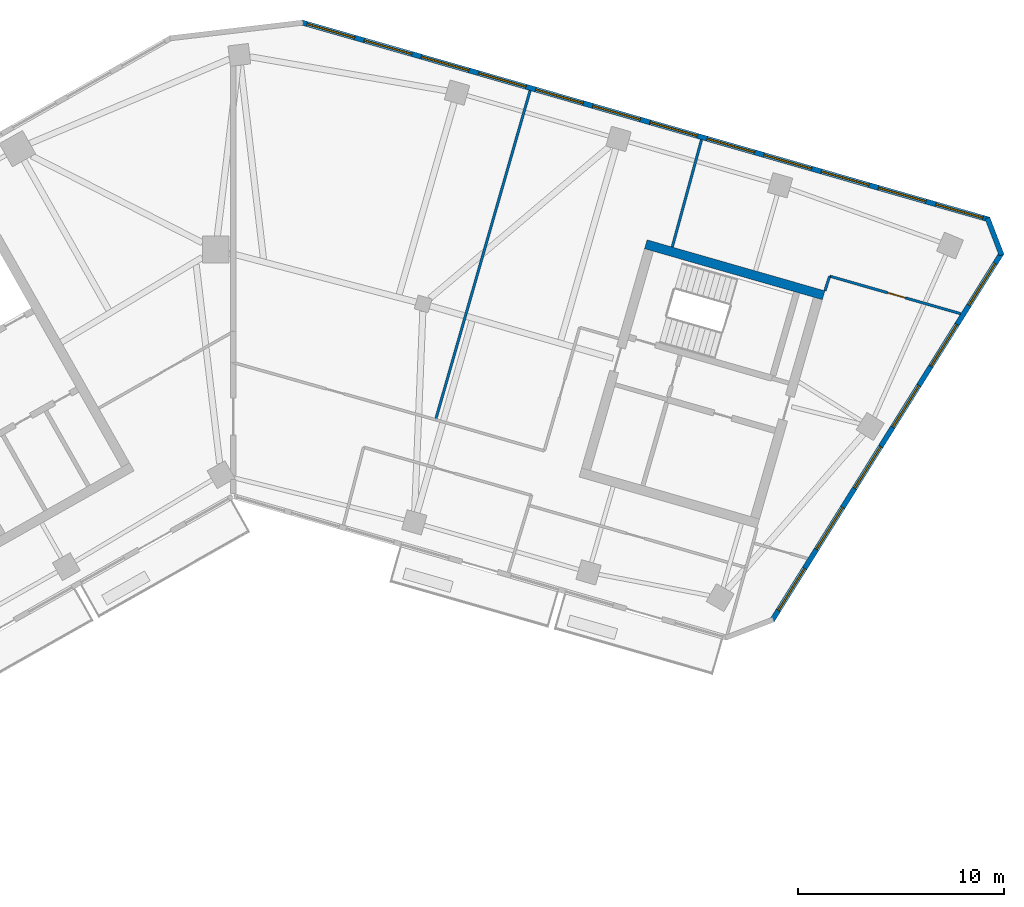
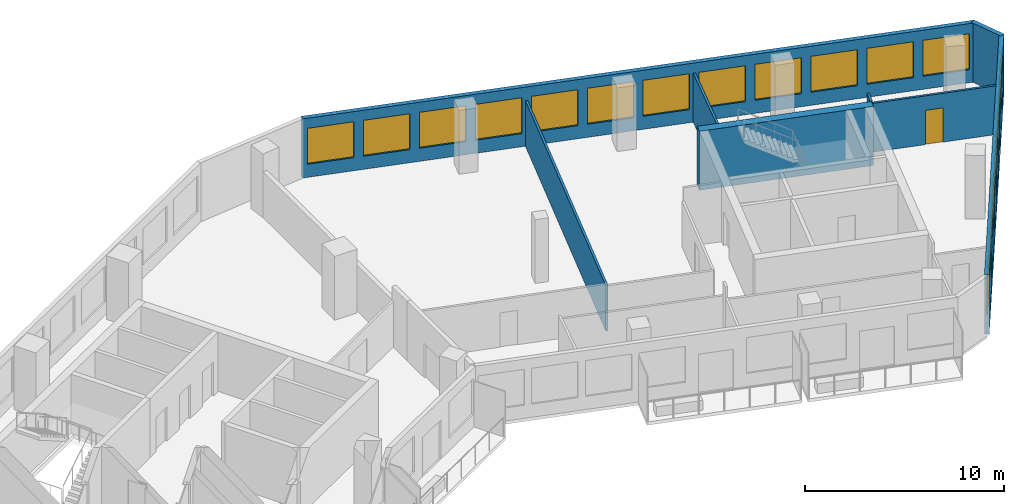
# One storey, part 8 of 12: 18 windows, 8 walls, 1 door, 19 openings.
"""IFC4 building model written with IfcOpenShell, lengths in metres."""

from ifc_helpers import new_model, si_unit, direction, frame, frame_2d, origin, place, context, subcontext, project, spatial, rectangle, extrude, material, layer, layer_set, type_object, element, fill, save


model = new_model("IFC4")

# Units and contexts
model_context = context("Model", 3, precision=1e-05, world=origin(), true_north=direction((0.0, 1.0)))
body_context = subcontext(model_context, "Body", "Model", "MODEL_VIEW")
ifc_project = project(units=[si_unit("LENGTHUNIT", "METRE"), si_unit("AREAUNIT", "SQUARE_METRE"), si_unit("VOLUMEUNIT", "CUBIC_METRE"), si_unit("PLANEANGLEUNIT", "RADIAN"), si_unit("MASSUNIT", "GRAM", prefix="KILO")], contexts=[model_context])

# Site, building, storey
site_placement = place(None, origin())
site = spatial("IfcSite", under=ifc_project, at=site_placement, CompositionType="ELEMENT")
building_placement = place(site_placement, origin())
building = spatial("IfcBuilding", under=site, at=building_placement, Name="Binnacle Exchange Tower", CompositionType="ELEMENT")
storey_placement = place(building_placement, frame((0.0, 0.0, 242.60009765625)))
storey = spatial("IfcBuildingStorey", under=building, at=storey_placement, Name="L53", CompositionType="ELEMENT", Elevation=242.60009765625)

# Wall
ifc_material_1 = material(Name="Concrete C70/85", Category="concrete")
ifc_layer_1 = layer(ifc_material_1, 0.449951171875)
ifc_layer_set_1 = layer_set([ifc_layer_1], Name="Core wall - outer 450")
wall_type_1 = type_object("IfcWallType", Name="Core wall - outer 450", PredefinedType="SOLIDWALL", material=ifc_layer_set_1)
wall_1_placement = place(storey_placement, frame((20.073486328125, 60.251708984375, 0.0), z_axis=(0.0, 0.0, 1.0), x_axis=(0.96126248289, -0.275634611374, 0.0)))
element("IfcWall", 1, at=wall_1_placement, inside=storey, type_object=wall_type_1, Name="Core wall CRWD6", PredefinedType="SOLIDWALL", context=body_context, shape_type="SweptSolid", body=[
    extrude(rectangle(XDim=9.0, YDim=0.449951171875, at=frame_2d((4.5, 0.0))), origin(), (0.0, 0.0, 1.0), 3.619873046875),
])

# Wall, openings, windows
ifc_material_2 = material(Name="Bronze aluminium cladding", Category="aluminium")
ifc_layer_2 = layer(ifc_material_2, 0.25)
ifc_layer_set_2 = layer_set([ifc_layer_2], Name="External wall - window wall 250")
wall_type_2 = type_object("IfcWallType", Name="External wall - window wall 250", PredefinedType="STANDARD", material=ifc_layer_set_2)
wall_2_placement = place(storey_placement, frame((37.392333984375, 59.84033203125, 0.0), z_axis=(0.0, 0.0, 1.0), x_axis=(-0.529919909431, -0.848047692992, 0.0)))
wall_2 = element("IfcWall", 2, at=wall_2_placement, inside=storey, type_object=wall_type_2, Name="External wall EW-G04 L53", PredefinedType="STANDARD", context=body_context, shape_type="SweptSolid", body=[
    extrude(rectangle(XDim=21.104248046875, YDim=0.25, at=frame_2d((10.55224609375, 0.0))), origin(), (0.0, 0.0, 1.0), 3.619873046875),
])
opening_1_placement = place(wall_2_placement, frame((18.1123046875, 0.0, 0.800048828125)))
opening_1 = element("IfcOpeningElement", 3, at=opening_1_placement, cuts=wall_2, Name="Opening WR1", PredefinedType="OPENING", context=body_context, shape_type="SweptSolid", body=[
    extrude(rectangle(XDim=2.39990234375, YDim=2.199951171875, at=frame_2d((1.199951171875, 1.10009765625))), frame((0.0, 0.135009765625, 0.0), z_axis=(0.0, -1.0, 0.0), x_axis=(1.0, 0.0, 0.0)), (0.0, 0.0, 1.0), 0.27001953125),
])
opening_2_placement = place(wall_2_placement, frame((14.6123046875, 0.0, 0.800048828125)))
opening_2 = element("IfcOpeningElement", 4, at=opening_2_placement, cuts=wall_2, Name="Opening WR1", PredefinedType="OPENING", context=body_context, shape_type="SweptSolid", body=[
    extrude(rectangle(XDim=2.39990234375, YDim=2.199951171875, at=frame_2d((1.199951171875, 1.10009765625))), frame((0.0, 0.135009765625, 0.0), z_axis=(0.0, -1.0, 0.0), x_axis=(1.0, 0.0, 0.0)), (0.0, 0.0, 1.0), 0.27001953125),
])
opening_3_placement = place(wall_2_placement, frame((11.1123046875, 0.0, 0.800048828125)))
opening_3 = element("IfcOpeningElement", 5, at=opening_3_placement, cuts=wall_2, Name="Opening WR1", PredefinedType="OPENING", context=body_context, shape_type="SweptSolid", body=[
    extrude(rectangle(XDim=2.39990234375, YDim=2.199951171875, at=frame_2d((1.199951171875, 1.10009765625))), frame((0.0, 0.135009765625, 0.0), z_axis=(0.0, -1.0, 0.0), x_axis=(1.0, 0.0, 0.0)), (0.0, 0.0, 1.0), 0.27001953125),
])
opening_4_placement = place(wall_2_placement, frame((7.6123046875, 0.0, 0.800048828125)))
opening_4 = element("IfcOpeningElement", 6, at=opening_4_placement, cuts=wall_2, Name="Opening WR1", PredefinedType="OPENING", context=body_context, shape_type="SweptSolid", body=[
    extrude(rectangle(XDim=2.39990234375, YDim=2.199951171875, at=frame_2d((1.199951171875, 1.10009765625))), frame((0.0, 0.135009765625, 0.0), z_axis=(0.0, -1.0, 0.0), x_axis=(1.0, 0.0, 0.0)), (0.0, 0.0, 1.0), 0.27001953125),
])
opening_5_placement = place(wall_2_placement, frame((4.1123046875, 0.0, 0.800048828125)))
opening_5 = element("IfcOpeningElement", 7, at=opening_5_placement, cuts=wall_2, Name="Opening WR1", PredefinedType="OPENING", context=body_context, shape_type="SweptSolid", body=[
    extrude(rectangle(XDim=2.39990234375, YDim=2.199951171875, at=frame_2d((1.199951171875, 1.10009765625))), frame((0.0, 0.135009765625, 0.0), z_axis=(0.0, -1.0, 0.0), x_axis=(1.0, 0.0, 0.0)), (0.0, 0.0, 1.0), 0.27001953125),
])
opening_6_placement = place(wall_2_placement, frame((0.6123046875, 0.0, 0.800048828125)))
opening_6 = element("IfcOpeningElement", 8, at=opening_6_placement, cuts=wall_2, Name="Opening WR1", PredefinedType="OPENING", context=body_context, shape_type="SweptSolid", body=[
    extrude(rectangle(XDim=2.39990234375, YDim=2.199951171875, at=frame_2d((1.199951171875, 1.10009765625))), frame((0.0, 0.135009765625, 0.0), z_axis=(0.0, -1.0, 0.0), x_axis=(1.0, 0.0, 0.0)), (0.0, 0.0, 1.0), 0.27001953125),
])
ifc_material_3 = material(Name="Bronze anodised aluminium frame", Category="aluminium")
window_type = type_object("IfcWindowType", Name="WR1 WINDOW 2400x2200", PartitioningType="SINGLE_PANEL", PredefinedType="WINDOW", material=ifc_material_3)
window_1_placement = place(opening_1_placement, origin())
window_1 = element("IfcWindow", 9, at=window_1_placement, inside=storey, type_object=window_type, Name="Window WR1 L53", OverallHeight=2.199951171875, OverallWidth=2.39990234375, PartitioningType="SINGLE_PANEL", PredefinedType="WINDOW", context=body_context, shape_type="SweptSolid", body=[
    extrude(rectangle(XDim=2.39990234375, YDim=2.199951171875, at=frame_2d((1.199951171875, 1.10009765625))), frame((0.0, 0.030029296875, 0.0), z_axis=(0.0, -1.0, 0.0), x_axis=(1.0, 0.0, 0.0)), (0.0, 0.0, 1.0), 0.06005859375),
])
fill(opening_1, window_1)
window_2_placement = place(opening_2_placement, origin())
window_2 = element("IfcWindow", 10, at=window_2_placement, inside=storey, type_object=window_type, Name="Window WR1 L53", OverallHeight=2.199951171875, OverallWidth=2.39990234375, PartitioningType="SINGLE_PANEL", PredefinedType="WINDOW", context=body_context, shape_type="SweptSolid", body=[
    extrude(rectangle(XDim=2.39990234375, YDim=2.199951171875, at=frame_2d((1.199951171875, 1.10009765625))), frame((0.0, 0.030029296875, 0.0), z_axis=(0.0, -1.0, 0.0), x_axis=(1.0, 0.0, 0.0)), (0.0, 0.0, 1.0), 0.06005859375),
])
fill(opening_2, window_2)
window_3_placement = place(opening_3_placement, origin())
window_3 = element("IfcWindow", 11, at=window_3_placement, inside=storey, type_object=window_type, Name="Window WR1 L53", OverallHeight=2.199951171875, OverallWidth=2.39990234375, PartitioningType="SINGLE_PANEL", PredefinedType="WINDOW", context=body_context, shape_type="SweptSolid", body=[
    extrude(rectangle(XDim=2.39990234375, YDim=2.199951171875, at=frame_2d((1.199951171875, 1.10009765625))), frame((0.0, 0.030029296875, 0.0), z_axis=(0.0, -1.0, 0.0), x_axis=(1.0, 0.0, 0.0)), (0.0, 0.0, 1.0), 0.06005859375),
])
fill(opening_3, window_3)
window_4_placement = place(opening_4_placement, origin())
window_4 = element("IfcWindow", 12, at=window_4_placement, inside=storey, type_object=window_type, Name="Window WR1 L53", OverallHeight=2.199951171875, OverallWidth=2.39990234375, PartitioningType="SINGLE_PANEL", PredefinedType="WINDOW", context=body_context, shape_type="SweptSolid", body=[
    extrude(rectangle(XDim=2.39990234375, YDim=2.199951171875, at=frame_2d((1.199951171875, 1.10009765625))), frame((0.0, 0.030029296875, 0.0), z_axis=(0.0, -1.0, 0.0), x_axis=(1.0, 0.0, 0.0)), (0.0, 0.0, 1.0), 0.06005859375),
])
fill(opening_4, window_4)
window_5_placement = place(opening_5_placement, origin())
window_5 = element("IfcWindow", 13, at=window_5_placement, inside=storey, type_object=window_type, Name="Window WR1 L53", OverallHeight=2.199951171875, OverallWidth=2.39990234375, PartitioningType="SINGLE_PANEL", PredefinedType="WINDOW", context=body_context, shape_type="SweptSolid", body=[
    extrude(rectangle(XDim=2.39990234375, YDim=2.199951171875, at=frame_2d((1.199951171875, 1.10009765625))), frame((0.0, 0.030029296875, 0.0), z_axis=(0.0, -1.0, 0.0), x_axis=(1.0, 0.0, 0.0)), (0.0, 0.0, 1.0), 0.06005859375),
])
fill(opening_5, window_5)
window_6_placement = place(opening_6_placement, origin())
window_6 = element("IfcWindow", 14, at=window_6_placement, inside=storey, type_object=window_type, Name="Window WR1 L53", OverallHeight=2.199951171875, OverallWidth=2.39990234375, PartitioningType="SINGLE_PANEL", PredefinedType="WINDOW", context=body_context, shape_type="SweptSolid", body=[
    extrude(rectangle(XDim=2.39990234375, YDim=2.199951171875, at=frame_2d((1.199951171875, 1.10009765625))), frame((0.0, 0.030029296875, 0.0), z_axis=(0.0, -1.0, 0.0), x_axis=(1.0, 0.0, 0.0)), (0.0, 0.0, 1.0), 0.06005859375),
])
fill(opening_6, window_6)

# Wall
wall_3_placement = place(storey_placement, frame((36.68994140625, 61.531005859375, 0.0), z_axis=(0.0, 0.0, 1.0), x_axis=(0.358377147136, -0.933576895821, 0.0)))
element("IfcWall", 15, at=wall_3_placement, inside=storey, type_object=wall_type_2, Name="External wall EW-G05 L53", PredefinedType="STANDARD", context=body_context, shape_type="SweptSolid", body=[
    extrude(rectangle(XDim=1.929931640625, YDim=0.25, at=frame_2d((0.96484375, 0.0))), origin(), (0.0, 0.0, 1.0), 3.619873046875),
])

# Wall, openings, windows
wall_4_placement = place(storey_placement, frame((3.34033203125, 71.042236328125, 0.0), z_axis=(0.0, 0.0, 1.0), x_axis=(0.96126179431, -0.275637012753, 0.0)))
wall_4 = element("IfcWall", 16, at=wall_4_placement, inside=storey, type_object=wall_type_2, Name="External wall EW-G06 L53", PredefinedType="STANDARD", context=body_context, shape_type="SweptSolid", body=[
    extrude(rectangle(XDim=34.779052734375, YDim=0.25, at=frame_2d((17.3896484375, 0.0))), origin(), (0.0, 0.0, 1.0), 3.619873046875),
])
opening_7_placement = place(wall_4_placement, frame((32.0712890625, 0.0, 0.800048828125)))
opening_7 = element("IfcOpeningElement", 17, at=opening_7_placement, cuts=wall_4, Name="Opening WR1", PredefinedType="OPENING", context=body_context, shape_type="SweptSolid", body=[
    extrude(rectangle(XDim=2.39990234375, YDim=2.199951171875, at=frame_2d((1.199951171875, 1.10009765625))), frame((0.0, 0.135009765625, 0.0), z_axis=(0.0, -1.0, 0.0), x_axis=(1.0, 0.0, 0.0)), (0.0, 0.0, 1.0), 0.27001953125),
])
opening_8_placement = place(wall_4_placement, frame((29.180419921875, 0.0, 0.800048828125)))
opening_8 = element("IfcOpeningElement", 18, at=opening_8_placement, cuts=wall_4, Name="Opening WR1", PredefinedType="OPENING", context=body_context, shape_type="SweptSolid", body=[
    extrude(rectangle(XDim=2.39990234375, YDim=2.199951171875, at=frame_2d((1.199951171875, 1.10009765625))), frame((0.0, 0.135009765625, 0.0), z_axis=(0.0, -1.0, 0.0), x_axis=(1.0, 0.0, 0.0)), (0.0, 0.0, 1.0), 0.27001953125),
])
opening_9_placement = place(wall_4_placement, frame((26.289306640625, 0.0, 0.800048828125)))
opening_9 = element("IfcOpeningElement", 19, at=opening_9_placement, cuts=wall_4, Name="Opening WR1", PredefinedType="OPENING", context=body_context, shape_type="SweptSolid", body=[
    extrude(rectangle(XDim=2.39990234375, YDim=2.199951171875, at=frame_2d((1.199951171875, 1.10009765625))), frame((0.0, 0.135009765625, 0.0), z_axis=(0.0, -1.0, 0.0), x_axis=(1.0, 0.0, 0.0)), (0.0, 0.0, 1.0), 0.27001953125),
])
opening_10_placement = place(wall_4_placement, frame((23.3984375, 0.0, 0.800048828125)))
opening_10 = element("IfcOpeningElement", 20, at=opening_10_placement, cuts=wall_4, Name="Opening WR1", PredefinedType="OPENING", context=body_context, shape_type="SweptSolid", body=[
    extrude(rectangle(XDim=2.39990234375, YDim=2.199951171875, at=frame_2d((1.199951171875, 1.10009765625))), frame((0.0, 0.135009765625, 0.0), z_axis=(0.0, -1.0, 0.0), x_axis=(1.0, 0.0, 0.0)), (0.0, 0.0, 1.0), 0.27001953125),
])
opening_11_placement = place(wall_4_placement, frame((20.507568359375, 0.0, 0.800048828125)))
opening_11 = element("IfcOpeningElement", 21, at=opening_11_placement, cuts=wall_4, Name="Opening WR1", PredefinedType="OPENING", context=body_context, shape_type="SweptSolid", body=[
    extrude(rectangle(XDim=2.39990234375, YDim=2.199951171875, at=frame_2d((1.199951171875, 1.10009765625))), frame((0.0, 0.135009765625, 0.0), z_axis=(0.0, -1.0, 0.0), x_axis=(1.0, 0.0, 0.0)), (0.0, 0.0, 1.0), 0.27001953125),
])
opening_12_placement = place(wall_4_placement, frame((17.616455078125, 0.0, 0.800048828125)))
opening_12 = element("IfcOpeningElement", 22, at=opening_12_placement, cuts=wall_4, Name="Opening WR1", PredefinedType="OPENING", context=body_context, shape_type="SweptSolid", body=[
    extrude(rectangle(XDim=2.39990234375, YDim=2.199951171875, at=frame_2d((1.199951171875, 1.10009765625))), frame((0.0, 0.135009765625, 0.0), z_axis=(0.0, -1.0, 0.0), x_axis=(1.0, 0.0, 0.0)), (0.0, 0.0, 1.0), 0.27001953125),
])
opening_13_placement = place(wall_4_placement, frame((14.7255859375, 0.0, 0.800048828125)))
opening_13 = element("IfcOpeningElement", 23, at=opening_13_placement, cuts=wall_4, Name="Opening WR1", PredefinedType="OPENING", context=body_context, shape_type="SweptSolid", body=[
    extrude(rectangle(XDim=2.39990234375, YDim=2.199951171875, at=frame_2d((1.199951171875, 1.10009765625))), frame((0.0, 0.135009765625, 0.0), z_axis=(0.0, -1.0, 0.0), x_axis=(1.0, 0.0, 0.0)), (0.0, 0.0, 1.0), 0.27001953125),
])
opening_14_placement = place(wall_4_placement, frame((11.83447265625, 0.0, 0.800048828125)))
opening_14 = element("IfcOpeningElement", 24, at=opening_14_placement, cuts=wall_4, Name="Opening WR1", PredefinedType="OPENING", context=body_context, shape_type="SweptSolid", body=[
    extrude(rectangle(XDim=2.39990234375, YDim=2.199951171875, at=frame_2d((1.199951171875, 1.10009765625))), frame((0.0, 0.135009765625, 0.0), z_axis=(0.0, -1.0, 0.0), x_axis=(1.0, 0.0, 0.0)), (0.0, 0.0, 1.0), 0.27001953125),
])
opening_15_placement = place(wall_4_placement, frame((8.943603515625, 0.0, 0.800048828125)))
opening_15 = element("IfcOpeningElement", 25, at=opening_15_placement, cuts=wall_4, Name="Opening WR1", PredefinedType="OPENING", context=body_context, shape_type="SweptSolid", body=[
    extrude(rectangle(XDim=2.39990234375, YDim=2.199951171875, at=frame_2d((1.199951171875, 1.10009765625))), frame((0.0, 0.135009765625, 0.0), z_axis=(0.0, -1.0, 0.0), x_axis=(1.0, 0.0, 0.0)), (0.0, 0.0, 1.0), 0.27001953125),
])
opening_16_placement = place(wall_4_placement, frame((6.052490234375, 0.0, 0.800048828125)))
opening_16 = element("IfcOpeningElement", 26, at=opening_16_placement, cuts=wall_4, Name="Opening WR1", PredefinedType="OPENING", context=body_context, shape_type="SweptSolid", body=[
    extrude(rectangle(XDim=2.39990234375, YDim=2.199951171875, at=frame_2d((1.199951171875, 1.10009765625))), frame((0.0, 0.135009765625, 0.0), z_axis=(0.0, -1.0, 0.0), x_axis=(1.0, 0.0, 0.0)), (0.0, 0.0, 1.0), 0.27001953125),
])
opening_17_placement = place(wall_4_placement, frame((3.16162109375, 0.0, 0.800048828125)))
opening_17 = element("IfcOpeningElement", 27, at=opening_17_placement, cuts=wall_4, Name="Opening WR1", PredefinedType="OPENING", context=body_context, shape_type="SweptSolid", body=[
    extrude(rectangle(XDim=2.39990234375, YDim=2.199951171875, at=frame_2d((1.199951171875, 1.10009765625))), frame((0.0, 0.135009765625, 0.0), z_axis=(0.0, -1.0, 0.0), x_axis=(1.0, 0.0, 0.0)), (0.0, 0.0, 1.0), 0.27001953125),
])
opening_18_placement = place(wall_4_placement, frame((0.2705078125, 0.0, 0.800048828125)))
opening_18 = element("IfcOpeningElement", 28, at=opening_18_placement, cuts=wall_4, Name="Opening WR1", PredefinedType="OPENING", context=body_context, shape_type="SweptSolid", body=[
    extrude(rectangle(XDim=2.39990234375, YDim=2.199951171875, at=frame_2d((1.199951171875, 1.10009765625))), frame((0.0, 0.135009765625, 0.0), z_axis=(0.0, -1.0, 0.0), x_axis=(1.0, 0.0, 0.0)), (0.0, 0.0, 1.0), 0.27001953125),
])
window_7_placement = place(opening_7_placement, origin())
window_7 = element("IfcWindow", 29, at=window_7_placement, inside=storey, type_object=window_type, Name="Window WR1 L53", OverallHeight=2.199951171875, OverallWidth=2.39990234375, PartitioningType="SINGLE_PANEL", PredefinedType="WINDOW", context=body_context, shape_type="SweptSolid", body=[
    extrude(rectangle(XDim=2.39990234375, YDim=2.199951171875, at=frame_2d((1.199951171875, 1.10009765625))), frame((0.0, 0.030029296875, 0.0), z_axis=(0.0, -1.0, 0.0), x_axis=(1.0, 0.0, 0.0)), (0.0, 0.0, 1.0), 0.06005859375),
])
fill(opening_7, window_7)
window_8_placement = place(opening_8_placement, origin())
window_8 = element("IfcWindow", 30, at=window_8_placement, inside=storey, type_object=window_type, Name="Window WR1 L53", OverallHeight=2.199951171875, OverallWidth=2.39990234375, PartitioningType="SINGLE_PANEL", PredefinedType="WINDOW", context=body_context, shape_type="SweptSolid", body=[
    extrude(rectangle(XDim=2.39990234375, YDim=2.199951171875, at=frame_2d((1.199951171875, 1.10009765625))), frame((0.0, 0.030029296875, 0.0), z_axis=(0.0, -1.0, 0.0), x_axis=(1.0, 0.0, 0.0)), (0.0, 0.0, 1.0), 0.06005859375),
])
fill(opening_8, window_8)
window_9_placement = place(opening_9_placement, origin())
window_9 = element("IfcWindow", 31, at=window_9_placement, inside=storey, type_object=window_type, Name="Window WR1 L53", OverallHeight=2.199951171875, OverallWidth=2.39990234375, PartitioningType="SINGLE_PANEL", PredefinedType="WINDOW", context=body_context, shape_type="SweptSolid", body=[
    extrude(rectangle(XDim=2.39990234375, YDim=2.199951171875, at=frame_2d((1.199951171875, 1.10009765625))), frame((0.0, 0.030029296875, 0.0), z_axis=(0.0, -1.0, 0.0), x_axis=(1.0, 0.0, 0.0)), (0.0, 0.0, 1.0), 0.06005859375),
])
fill(opening_9, window_9)
window_10_placement = place(opening_10_placement, origin())
window_10 = element("IfcWindow", 32, at=window_10_placement, inside=storey, type_object=window_type, Name="Window WR1 L53", OverallHeight=2.199951171875, OverallWidth=2.39990234375, PartitioningType="SINGLE_PANEL", PredefinedType="WINDOW", context=body_context, shape_type="SweptSolid", body=[
    extrude(rectangle(XDim=2.39990234375, YDim=2.199951171875, at=frame_2d((1.199951171875, 1.10009765625))), frame((0.0, 0.030029296875, 0.0), z_axis=(0.0, -1.0, 0.0), x_axis=(1.0, 0.0, 0.0)), (0.0, 0.0, 1.0), 0.06005859375),
])
fill(opening_10, window_10)
window_11_placement = place(opening_11_placement, origin())
window_11 = element("IfcWindow", 33, at=window_11_placement, inside=storey, type_object=window_type, Name="Window WR1 L53", OverallHeight=2.199951171875, OverallWidth=2.39990234375, PartitioningType="SINGLE_PANEL", PredefinedType="WINDOW", context=body_context, shape_type="SweptSolid", body=[
    extrude(rectangle(XDim=2.39990234375, YDim=2.199951171875, at=frame_2d((1.199951171875, 1.10009765625))), frame((0.0, 0.030029296875, 0.0), z_axis=(0.0, -1.0, 0.0), x_axis=(1.0, 0.0, 0.0)), (0.0, 0.0, 1.0), 0.06005859375),
])
fill(opening_11, window_11)
window_12_placement = place(opening_12_placement, origin())
window_12 = element("IfcWindow", 34, at=window_12_placement, inside=storey, type_object=window_type, Name="Window WR1 L53", OverallHeight=2.199951171875, OverallWidth=2.39990234375, PartitioningType="SINGLE_PANEL", PredefinedType="WINDOW", context=body_context, shape_type="SweptSolid", body=[
    extrude(rectangle(XDim=2.39990234375, YDim=2.199951171875, at=frame_2d((1.199951171875, 1.10009765625))), frame((0.0, 0.030029296875, 0.0), z_axis=(0.0, -1.0, 0.0), x_axis=(1.0, 0.0, 0.0)), (0.0, 0.0, 1.0), 0.06005859375),
])
fill(opening_12, window_12)
window_13_placement = place(opening_13_placement, origin())
window_13 = element("IfcWindow", 35, at=window_13_placement, inside=storey, type_object=window_type, Name="Window WR1 L53", OverallHeight=2.199951171875, OverallWidth=2.39990234375, PartitioningType="SINGLE_PANEL", PredefinedType="WINDOW", context=body_context, shape_type="SweptSolid", body=[
    extrude(rectangle(XDim=2.39990234375, YDim=2.199951171875, at=frame_2d((1.199951171875, 1.10009765625))), frame((0.0, 0.030029296875, 0.0), z_axis=(0.0, -1.0, 0.0), x_axis=(1.0, 0.0, 0.0)), (0.0, 0.0, 1.0), 0.06005859375),
])
fill(opening_13, window_13)
window_14_placement = place(opening_14_placement, origin())
window_14 = element("IfcWindow", 36, at=window_14_placement, inside=storey, type_object=window_type, Name="Window WR1 L53", OverallHeight=2.199951171875, OverallWidth=2.39990234375, PartitioningType="SINGLE_PANEL", PredefinedType="WINDOW", context=body_context, shape_type="SweptSolid", body=[
    extrude(rectangle(XDim=2.39990234375, YDim=2.199951171875, at=frame_2d((1.199951171875, 1.10009765625))), frame((0.0, 0.030029296875, 0.0), z_axis=(0.0, -1.0, 0.0), x_axis=(1.0, 0.0, 0.0)), (0.0, 0.0, 1.0), 0.06005859375),
])
fill(opening_14, window_14)
window_15_placement = place(opening_15_placement, origin())
window_15 = element("IfcWindow", 37, at=window_15_placement, inside=storey, type_object=window_type, Name="Window WR1 L53", OverallHeight=2.199951171875, OverallWidth=2.39990234375, PartitioningType="SINGLE_PANEL", PredefinedType="WINDOW", context=body_context, shape_type="SweptSolid", body=[
    extrude(rectangle(XDim=2.39990234375, YDim=2.199951171875, at=frame_2d((1.199951171875, 1.10009765625))), frame((0.0, 0.030029296875, 0.0), z_axis=(0.0, -1.0, 0.0), x_axis=(1.0, 0.0, 0.0)), (0.0, 0.0, 1.0), 0.06005859375),
])
fill(opening_15, window_15)
window_16_placement = place(opening_16_placement, origin())
window_16 = element("IfcWindow", 38, at=window_16_placement, inside=storey, type_object=window_type, Name="Window WR1 L53", OverallHeight=2.199951171875, OverallWidth=2.39990234375, PartitioningType="SINGLE_PANEL", PredefinedType="WINDOW", context=body_context, shape_type="SweptSolid", body=[
    extrude(rectangle(XDim=2.39990234375, YDim=2.199951171875, at=frame_2d((1.199951171875, 1.10009765625))), frame((0.0, 0.030029296875, 0.0), z_axis=(0.0, -1.0, 0.0), x_axis=(1.0, 0.0, 0.0)), (0.0, 0.0, 1.0), 0.06005859375),
])
fill(opening_16, window_16)
window_17_placement = place(opening_17_placement, origin())
window_17 = element("IfcWindow", 39, at=window_17_placement, inside=storey, type_object=window_type, Name="Window WR1 L53", OverallHeight=2.199951171875, OverallWidth=2.39990234375, PartitioningType="SINGLE_PANEL", PredefinedType="WINDOW", context=body_context, shape_type="SweptSolid", body=[
    extrude(rectangle(XDim=2.39990234375, YDim=2.199951171875, at=frame_2d((1.199951171875, 1.10009765625))), frame((0.0, 0.030029296875, 0.0), z_axis=(0.0, -1.0, 0.0), x_axis=(1.0, 0.0, 0.0)), (0.0, 0.0, 1.0), 0.06005859375),
])
fill(opening_17, window_17)
window_18_placement = place(opening_18_placement, origin())
window_18 = element("IfcWindow", 40, at=window_18_placement, inside=storey, type_object=window_type, Name="Window WR1 L53", OverallHeight=2.199951171875, OverallWidth=2.39990234375, PartitioningType="SINGLE_PANEL", PredefinedType="WINDOW", context=body_context, shape_type="SweptSolid", body=[
    extrude(rectangle(XDim=2.39990234375, YDim=2.199951171875, at=frame_2d((1.199951171875, 1.10009765625))), frame((0.0, 0.030029296875, 0.0), z_axis=(0.0, -1.0, 0.0), x_axis=(1.0, 0.0, 0.0)), (0.0, 0.0, 1.0), 0.06005859375),
])
fill(opening_18, window_18)

# Walls
ifc_material_4 = material(Name="Gypsum partition")
ifc_layer_3 = layer(ifc_material_4, 0.125)
ifc_layer_set_3 = layer_set([ifc_layer_3], Name="Partition 125")
wall_type_3 = type_object("IfcWallType", Name="Partition 125", PredefinedType="PARTITIONING", material=ifc_layer_set_3)
wall_5_placement = place(storey_placement, frame((9.847900390625, 51.715087890625, 0.0), z_axis=(0.0, 0.0, 1.0), x_axis=(0.27594414117, 0.961173673669, 0.0)))
element("IfcWall", 41, at=wall_5_placement, inside=storey, type_object=wall_type_3, Name="Partition W23", PredefinedType="PARTITIONING", context=body_context, shape_type="SweptSolid", body=[
    extrude(rectangle(XDim=16.65966796875, YDim=0.125, at=frame_2d((8.329833984375, 0.0))), origin(), (0.0, 0.0, 1.0), 2.7919921875),
])
wall_6_placement = place(storey_placement, frame((21.360107421875, 60.116943359375, 0.0), z_axis=(0.0, 0.0, 1.0), x_axis=(0.263151767798, 0.964754449124, 0.0)))
element("IfcWall", 42, at=wall_6_placement, inside=storey, type_object=wall_type_3, Name="Partition W30", PredefinedType="PARTITIONING", context=body_context, shape_type="SweptSolid", body=[
    extrude(rectangle(XDim=5.41064453125, YDim=0.125, at=frame_2d((2.705322265625, 0.0))), origin(), (0.0, 0.0, 1.0), 3.0),
])
wall_7_placement = place(storey_placement, frame((28.787109375, 57.987060546875, 0.0), z_axis=(0.0, 0.0, 1.0), x_axis=(0.305082548948, 0.952325909722, 0.0)))
element("IfcWall", 43, at=wall_7_placement, inside=storey, type_object=wall_type_3, Name="Partition W35", PredefinedType="PARTITIONING", context=body_context, shape_type="SweptSolid", body=[
    extrude(rectangle(XDim=0.750732421875, YDim=0.125, at=frame_2d((0.37548828125, 0.0))), origin(), (0.0, 0.0, 1.0), 3.619873046875),
])

# Wall, opening, door
wall_8_placement = place(storey_placement, frame((29.01611328125, 58.701904296875, 0.0), z_axis=(0.0, 0.0, 1.0), x_axis=(0.961266529031, -0.275620500262, 0.0)))
wall_8 = element("IfcWall", 44, at=wall_8_placement, inside=storey, type_object=wall_type_3, Name="Partition W36", PredefinedType="PARTITIONING", context=body_context, shape_type="SweptSolid", body=[
    extrude(rectangle(XDim=6.6318359375, YDim=0.125, at=frame_2d((3.31591796875, 0.0))), origin(), (0.0, 0.0, 1.0), 2.98779296875),
])
opening_19_placement = place(wall_8_placement, frame((2.949951171875, 0.0, 0.0)))
opening_19 = element("IfcOpeningElement", 45, at=opening_19_placement, cuts=wall_8, Name="Opening DL52-10", PredefinedType="OPENING", context=body_context, shape_type="SweptSolid", body=[
    extrude(rectangle(XDim=0.89990234375, YDim=2.10009765625, at=frame_2d((0.449951171875, 1.050048828125))), frame((0.0, 0.072509765625, 0.0), z_axis=(0.0, -1.0, 0.0), x_axis=(1.0, 0.0, 0.0)), (0.0, 0.0, 1.0), 0.14501953125),
])
ifc_material_5 = material(Name="Timber door leaf", Category="wood")
door_type = type_object("IfcDoorType", Name="Door 900", OperationType="NOTDEFINED", PredefinedType="DOOR", material=ifc_material_5)
door_placement = place(opening_19_placement, origin())
door = element("IfcDoor", 46, at=door_placement, inside=storey, type_object=door_type, Name="Door DL52-10", OperationType="SINGLE_SWING_RIGHT", OverallHeight=2.10009765625, OverallWidth=0.89990234375, PredefinedType="DOOR", context=body_context, shape_type="SweptSolid", body=[
    extrude(rectangle(XDim=0.89990234375, YDim=2.10009765625, at=frame_2d((0.449951171875, 1.050048828125))), frame((0.0, 0.02490234375, 0.0), z_axis=(0.0, -1.0, 0.0), x_axis=(1.0, 0.0, 0.0)), (0.0, 0.0, 1.0), 0.050048828125),
])
fill(opening_19, door)

save(model, "model.ifc")
